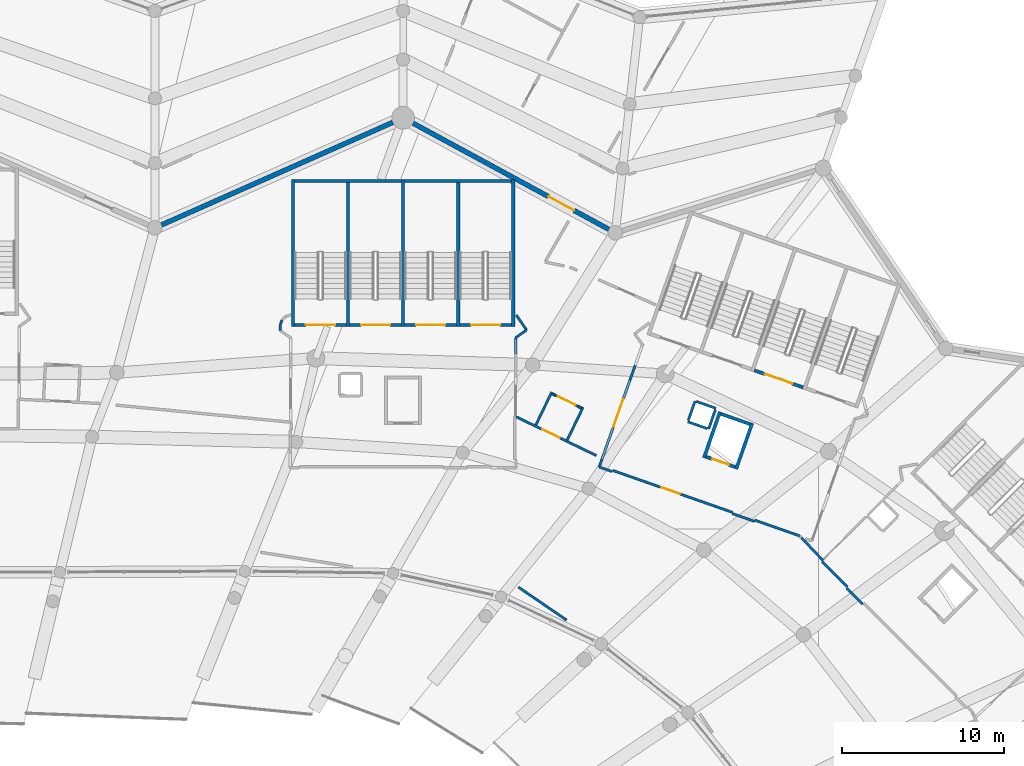
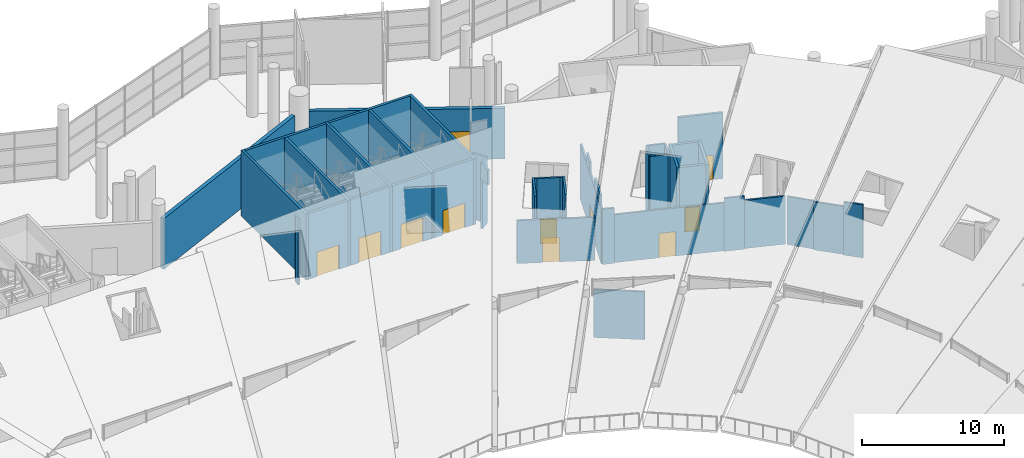
# One storey, part 175 of 249: 44 walls, 11 doors, 11 openings.
"""IFC4 building model written with IfcOpenShell, lengths in metres."""

from ifc_helpers import new_model, si_unit, direction, frame, frame_2d, origin, place, context, subcontext, project, spatial, rectangle, extrude, material, layer, layer_set, type_object, element, fill, save


model = new_model("IFC4")

# Units and contexts
model_context = context("Model", 3, precision=1e-05, world=origin(), true_north=direction((0.0, 1.0)))
body_context = subcontext(model_context, "Body", "Model", "MODEL_VIEW")
ifc_project = project(units=[si_unit("LENGTHUNIT", "METRE"), si_unit("AREAUNIT", "SQUARE_METRE"), si_unit("VOLUMEUNIT", "CUBIC_METRE"), si_unit("PLANEANGLEUNIT", "RADIAN"), si_unit("MASSUNIT", "GRAM", prefix="KILO")], contexts=[model_context])

# Site, building, storey
site_placement = place(None, origin())
site = spatial("IfcSite", under=ifc_project, at=site_placement, CompositionType="ELEMENT")
building_placement = place(site_placement, origin())
building = spatial("IfcBuilding", under=site, at=building_placement, Name="Meseta Stadium", CompositionType="ELEMENT")
storey_placement = place(building_placement, frame((0.0, 0.0, 12.0)))
storey = spatial("IfcBuildingStorey", under=building, at=storey_placement, Name="L02", CompositionType="ELEMENT", Elevation=12.0)

# Walls
ifc_material_1 = material(Name="Concrete C40/50", Category="concrete")
ifc_layer_1 = layer(ifc_material_1, 0.199951171875)
ifc_layer_set_1 = layer_set([ifc_layer_1], Name="Core divider wall 200")
wall_type_1 = type_object("IfcWallType", Name="Core divider wall 200", PredefinedType="SHEAR", material=ifc_layer_set_1)
for number, where, z_axis, x_axis, name in (
    (1, (41.7333984375, 101.60009765625, 0.0), (0.0, 0.0, 1.0), (0.0, -1.0, 0.0), "Core 09 L02 stair A divider wall"),
    (2, (34.933349609375, 101.60009765625, 0.0), (0.0, 0.0, 1.0), (0.0, -1.0, 0.0), "Core 09 L02 stair B divider wall"),
):
    element("IfcWall", number, at=place(storey_placement, frame(where, z_axis=z_axis, x_axis=x_axis)), inside=storey, type_object=wall_type_1, Name=name, PredefinedType="SHEAR", context=body_context, shape_type="SweptSolid", body=[
        extrude(rectangle(XDim=9.10009765625, YDim=0.199951171875, at=frame_2d((4.550048828125, 0.0))), origin(), (0.0, 0.0, 1.0), 5.64990234375),
    ])

# Wall, opening, door
ifc_material_2 = material(Name="Concrete C40/50", Category="concrete")
ifc_layer_2 = layer(ifc_material_2, 0.199951171875)
ifc_layer_set_2 = layer_set([ifc_layer_2], Name="Core shaft wall 200")
wall_type_2 = type_object("IfcWallType", Name="Core shaft wall 200", PredefinedType="SHEAR", material=ifc_layer_set_2)
wall_1_placement = place(storey_placement, frame((63.052490234375, 88.741943359375, 0.0), z_axis=(0.0, 0.0, 1.0), x_axis=(-0.943878576031, 0.330292648585, 0.0)))
wall_1 = element("IfcWall", 3, at=wall_1_placement, inside=storey, type_object=wall_type_2, Name="Core 08 L02 stair A2 inner end wall", PredefinedType="SHEAR", context=body_context, shape_type="SweptSolid", body=[
    extrude(rectangle(XDim=3.199951171875, YDim=0.199951171875, at=frame_2d((1.60009765625, 0.0))), origin(), (0.0, 0.0, 1.0), 5.64990234375),
])
opening_1_placement = place(wall_1_placement, frame((0.699951171875, 0.0, 0.0)))
opening_1 = element("IfcOpeningElement", 4, at=opening_1_placement, cuts=wall_1, Name="Opening D1170", PredefinedType="OPENING", context=body_context, shape_type="SweptSolid", body=[
    extrude(rectangle(XDim=1.800048828125, YDim=2.10009765625, at=frame_2d((0.89990234375, 1.050048828125))), frame((0.0, 0.10986328125, 0.0), z_axis=(0.0, -1.0, 0.0), x_axis=(1.0, 0.0, 0.0)), (0.0, 0.0, 1.0), 0.219970703125),
])
ifc_material_3 = material(Name="Steel", Category="steel")
door_type_1 = type_object("IfcDoorType", Name="Stair door 1800x2100", OperationType="DOUBLE_DOOR_SINGLE_SWING", PredefinedType="DOOR", material=ifc_material_3)
door_1_placement = place(opening_1_placement, origin())
door_1 = element("IfcDoor", 5, at=door_1_placement, inside=storey, type_object=door_type_1, Name="Stair A2 door 08 L02", OperationType="DOUBLE_DOOR_SINGLE_SWING", OverallHeight=2.10009765625, OverallWidth=1.800048828125, PredefinedType="DOOR", context=body_context, shape_type="SweptSolid", body=[
    extrude(rectangle(XDim=1.800048828125, YDim=2.10009765625, at=frame_2d((0.89990234375, 1.050048828125))), frame((0.0, 0.02490234375, 0.0), z_axis=(0.0, -1.0, 0.0), x_axis=(1.0, 0.0, 0.0)), (0.0, 0.0, 1.0), 0.050048828125),
])
fill(opening_1, door_1)

# Walls
for number, where, z_axis, x_axis, name in (
    (6, (59.896240234375, 86.53369140625, 0.0), (0.0, 0.0, 1.0), (-0.330328674497, -0.943865968666, 0.0), "Core 08 L02 lift shaft wall left"),
    (7, (57.9140625, 87.227294921875, 0.0), (0.0, 0.0, 1.0), (-0.330328674497, -0.943865968666, 0.0), "Core 08 L02 lift shaft wall right"),
):
    element("IfcWall", number, at=place(storey_placement, frame(where, z_axis=z_axis, x_axis=x_axis)), inside=storey, type_object=wall_type_2, Name=name, PredefinedType="SHEAR", context=body_context, shape_type="SweptSolid", body=[
        extrude(rectangle(XDim=3.0, YDim=0.199951171875, at=frame_2d((1.5, 0.0))), origin(), (0.0, 0.0, 1.0), 5.64990234375),
    ])
wall_2_placement = place(storey_placement, frame((59.768798828125, 86.472412109375, 0.0), z_axis=(0.0, 0.0, 1.0), x_axis=(-0.943862362559, 0.330338978239, 0.0)))
element("IfcWall", 8, at=wall_2_placement, inside=storey, type_object=wall_type_2, Name="Core 08 L02 lift shaft back wall", PredefinedType="SHEAR", context=body_context, shape_type="SweptSolid", body=[
    extrude(rectangle(XDim=1.900146484375, YDim=0.199951171875, at=frame_2d((0.9501953125, 0.0))), origin(), (0.0, 0.0, 1.0), 5.64990234375),
])

# Wall, opening, door
wall_3_placement = place(storey_placement, frame((58.843994140625, 83.82958984375, 0.0), z_axis=(0.0, 0.0, 1.0), x_axis=(-0.943902418729, 0.330224505327, 0.0)))
wall_3 = element("IfcWall", 9, at=wall_3_placement, inside=storey, type_object=wall_type_2, Name="Core 08 L02 lift shaft front wall", PredefinedType="SHEAR", context=body_context, shape_type="SweptSolid", body=[
    extrude(rectangle(XDim=1.900146484375, YDim=0.199951171875, at=frame_2d((0.9501953125, 0.0))), origin(), (0.0, 0.0, 1.0), 5.64990234375),
])
opening_2_placement = place(wall_3_placement, frame((0.39990234375, 0.0, 0.0)))
opening_2 = element("IfcOpeningElement", 10, at=opening_2_placement, cuts=wall_3, Name="Opening LD45", PredefinedType="OPENING", context=body_context, shape_type="SweptSolid", body=[
    extrude(rectangle(XDim=1.10009765625, YDim=2.10009765625, at=frame_2d((0.550048828125, 1.050048828125))), frame((0.0, 0.10986328125, 0.0), z_axis=(0.0, -1.0, 0.0), x_axis=(1.0, 0.0, 0.0)), (0.0, 0.0, 1.0), 0.219970703125),
])
ifc_material_4 = material(Name="Steel", Category="steel")
door_type_2 = type_object("IfcDoorType", Name="Lift landing door 1100x2100", OperationType="SLIDING_TO_LEFT", PredefinedType="DOOR", material=ifc_material_4)
door_2_placement = place(opening_2_placement, origin())
door_2 = element("IfcDoor", 11, at=door_2_placement, inside=storey, type_object=door_type_2, Name="Lift landing door LD45", OperationType="SLIDING_TO_LEFT", OverallHeight=2.10009765625, OverallWidth=1.10009765625, PredefinedType="DOOR", context=body_context, shape_type="SweptSolid", body=[
    extrude(rectangle(XDim=1.10009765625, YDim=2.10009765625, at=frame_2d((0.550048828125, 1.050048828125))), frame((0.0, 0.02490234375, 0.0), z_axis=(0.0, -1.0, 0.0), x_axis=(1.0, 0.0, 0.0)), (0.0, 0.0, 1.0), 0.050048828125),
])
fill(opening_2, door_2)

# Walls
for number, where, z_axis, x_axis, name in (
    (12, (45.13330078125, 101.60009765625, 0.0), (0.0, 0.0, 1.0), (0.0, -1.0, 0.0), "Core 09 L02 stair wall A-side"),
    (13, (38.333251953125, 101.60009765625, 0.0), (0.0, 0.0, 1.0), (0.0, -1.0, 0.0), "Core 09 L02 stair wall shared"),
    (14, (31.533203125, 101.60009765625, 0.0), (0.0, 0.0, 1.0), (0.0, -1.0, 0.0), "Core 09 L02 stair wall B-side"),
):
    element("IfcWall", number, at=place(storey_placement, frame(where, z_axis=z_axis, x_axis=x_axis)), inside=storey, type_object=wall_type_2, Name=name, PredefinedType="SHEAR", context=body_context, shape_type="SweptSolid", body=[
        extrude(rectangle(XDim=9.10009765625, YDim=0.199951171875, at=frame_2d((4.550048828125, 0.0))), origin(), (0.0, 0.0, 1.0), 5.64990234375),
    ])
wall_4_placement = place(storey_placement, frame((45.033203125, 101.5, 0.0), z_axis=(0.0, 0.0, 1.0), x_axis=(-1.0, 0.0, 0.0)))
element("IfcWall", 15, at=wall_4_placement, inside=storey, type_object=wall_type_2, Name="Core 09 L02 stair A outer end wall", PredefinedType="SHEAR", context=body_context, shape_type="SweptSolid", body=[
    extrude(rectangle(XDim=6.599853515625, YDim=0.199951171875, at=frame_2d((3.2998046875, 0.0))), origin(), (0.0, 0.0, 1.0), 5.64990234375),
])
wall_5_placement = place(storey_placement, frame((38.2333984375, 101.5, 0.0), z_axis=(0.0, 0.0, 1.0), x_axis=(-1.0, 0.0, 0.0)))
element("IfcWall", 16, at=wall_5_placement, inside=storey, type_object=wall_type_2, Name="Core 09 L02 stair B outer end wall", PredefinedType="SHEAR", context=body_context, shape_type="SweptSolid", body=[
    extrude(rectangle(XDim=6.60009765625, YDim=0.199951171875, at=frame_2d((3.300048828125, 0.0))), origin(), (0.0, 0.0, 1.0), 5.64990234375),
])

# Wall, opening, door
wall_6_placement = place(storey_placement, frame((45.033203125, 92.60009765625, 0.0), z_axis=(0.0, 0.0, 1.0), x_axis=(-1.0, 0.0, 0.0)))
wall_6 = element("IfcWall", 17, at=wall_6_placement, inside=storey, type_object=wall_type_2, Name="Core 09 L02 stair A1 inner end wall", PredefinedType="SHEAR", context=body_context, shape_type="SweptSolid", body=[
    extrude(rectangle(XDim=3.199951171875, YDim=0.199951171875, at=frame_2d((1.60009765625, 0.0))), origin(), (0.0, 0.0, 1.0), 5.64990234375),
])
opening_3_placement = place(wall_6_placement, frame((0.699951171875, 0.0, 0.0)))
opening_3 = element("IfcOpeningElement", 18, at=opening_3_placement, cuts=wall_6, Name="Opening D1148", PredefinedType="OPENING", context=body_context, shape_type="SweptSolid", body=[
    extrude(rectangle(XDim=1.800048828125, YDim=2.10009765625, at=frame_2d((0.89990234375, 1.050048828125))), frame((0.0, 0.10986328125, 0.0), z_axis=(0.0, -1.0, 0.0), x_axis=(1.0, 0.0, 0.0)), (0.0, 0.0, 1.0), 0.219970703125),
])
door_3_placement = place(opening_3_placement, origin())
door_3 = element("IfcDoor", 19, at=door_3_placement, inside=storey, type_object=door_type_1, Name="Stair A1 door 09 L02", OperationType="DOUBLE_DOOR_SINGLE_SWING", OverallHeight=2.10009765625, OverallWidth=1.800048828125, PredefinedType="DOOR", context=body_context, shape_type="SweptSolid", body=[
    extrude(rectangle(XDim=1.800048828125, YDim=2.10009765625, at=frame_2d((0.89990234375, 1.050048828125))), frame((0.0, 0.02490234375, 0.0), z_axis=(0.0, -1.0, 0.0), x_axis=(1.0, 0.0, 0.0)), (0.0, 0.0, 1.0), 0.050048828125),
])
fill(opening_3, door_3)

wall_7_placement = place(storey_placement, frame((41.63330078125, 92.60009765625, 0.0), z_axis=(0.0, 0.0, 1.0), x_axis=(-1.0, 0.0, 0.0)))
wall_7 = element("IfcWall", 20, at=wall_7_placement, inside=storey, type_object=wall_type_2, Name="Core 09 L02 stair A2 inner end wall", PredefinedType="SHEAR", context=body_context, shape_type="SweptSolid", body=[
    extrude(rectangle(XDim=3.199951171875, YDim=0.199951171875, at=frame_2d((1.60009765625, 0.0))), origin(), (0.0, 0.0, 1.0), 5.64990234375),
])
opening_4_placement = place(wall_7_placement, frame((0.699951171875, 0.0, 0.0)))
opening_4 = element("IfcOpeningElement", 21, at=opening_4_placement, cuts=wall_7, Name="Opening D1145", PredefinedType="OPENING", context=body_context, shape_type="SweptSolid", body=[
    extrude(rectangle(XDim=1.800048828125, YDim=2.10009765625, at=frame_2d((0.89990234375, 1.050048828125))), frame((0.0, 0.10986328125, 0.0), z_axis=(0.0, -1.0, 0.0), x_axis=(1.0, 0.0, 0.0)), (0.0, 0.0, 1.0), 0.219970703125),
])
door_4_placement = place(opening_4_placement, origin())
door_4 = element("IfcDoor", 22, at=door_4_placement, inside=storey, type_object=door_type_1, Name="Stair A2 door 09 L02", OperationType="DOUBLE_DOOR_SINGLE_SWING", OverallHeight=2.10009765625, OverallWidth=1.800048828125, PredefinedType="DOOR", context=body_context, shape_type="SweptSolid", body=[
    extrude(rectangle(XDim=1.800048828125, YDim=2.10009765625, at=frame_2d((0.89990234375, 1.050048828125))), frame((0.0, 0.02490234375, 0.0), z_axis=(0.0, -1.0, 0.0), x_axis=(1.0, 0.0, 0.0)), (0.0, 0.0, 1.0), 0.050048828125),
])
fill(opening_4, door_4)

wall_8_placement = place(storey_placement, frame((38.2333984375, 92.60009765625, 0.0), z_axis=(0.0, 0.0, 1.0), x_axis=(-1.0, 0.0, 0.0)))
wall_8 = element("IfcWall", 23, at=wall_8_placement, inside=storey, type_object=wall_type_2, Name="Core 09 L02 stair B1 inner end wall", PredefinedType="SHEAR", context=body_context, shape_type="SweptSolid", body=[
    extrude(rectangle(XDim=3.2001953125, YDim=0.199951171875, at=frame_2d((1.60009765625, 0.0))), origin(), (0.0, 0.0, 1.0), 5.64990234375),
])
opening_5_placement = place(wall_8_placement, frame((0.699951171875, 0.0, 0.0)))
opening_5 = element("IfcOpeningElement", 24, at=opening_5_placement, cuts=wall_8, Name="Opening D1142", PredefinedType="OPENING", context=body_context, shape_type="SweptSolid", body=[
    extrude(rectangle(XDim=1.800048828125, YDim=2.10009765625, at=frame_2d((0.89990234375, 1.050048828125))), frame((0.0, 0.10986328125, 0.0), z_axis=(0.0, -1.0, 0.0), x_axis=(1.0, 0.0, 0.0)), (0.0, 0.0, 1.0), 0.219970703125),
])
door_5_placement = place(opening_5_placement, origin())
door_5 = element("IfcDoor", 25, at=door_5_placement, inside=storey, type_object=door_type_1, Name="Stair B1 door 09 L02", OperationType="DOUBLE_DOOR_SINGLE_SWING", OverallHeight=2.10009765625, OverallWidth=1.800048828125, PredefinedType="DOOR", context=body_context, shape_type="SweptSolid", body=[
    extrude(rectangle(XDim=1.800048828125, YDim=2.10009765625, at=frame_2d((0.89990234375, 1.050048828125))), frame((0.0, 0.02490234375, 0.0), z_axis=(0.0, -1.0, 0.0), x_axis=(1.0, 0.0, 0.0)), (0.0, 0.0, 1.0), 0.050048828125),
])
fill(opening_5, door_5)

wall_9_placement = place(storey_placement, frame((34.833251953125, 92.60009765625, 0.0), z_axis=(0.0, 0.0, 1.0), x_axis=(-1.0, 0.0, 0.0)))
wall_9 = element("IfcWall", 26, at=wall_9_placement, inside=storey, type_object=wall_type_2, Name="Core 09 L02 stair B2 inner end wall", PredefinedType="SHEAR", context=body_context, shape_type="SweptSolid", body=[
    extrude(rectangle(XDim=3.199951171875, YDim=0.199951171875, at=frame_2d((1.60009765625, 0.0))), origin(), (0.0, 0.0, 1.0), 5.64990234375),
])
opening_6_placement = place(wall_9_placement, frame((0.699951171875, 0.0, 0.0)))
opening_6 = element("IfcOpeningElement", 27, at=opening_6_placement, cuts=wall_9, Name="Opening D1139", PredefinedType="OPENING", context=body_context, shape_type="SweptSolid", body=[
    extrude(rectangle(XDim=1.800048828125, YDim=2.10009765625, at=frame_2d((0.89990234375, 1.050048828125))), frame((0.0, 0.10986328125, 0.0), z_axis=(0.0, -1.0, 0.0), x_axis=(1.0, 0.0, 0.0)), (0.0, 0.0, 1.0), 0.219970703125),
])
door_6_placement = place(opening_6_placement, origin())
door_6 = element("IfcDoor", 28, at=door_6_placement, inside=storey, type_object=door_type_1, Name="Stair B2 door 09 L02", OperationType="DOUBLE_DOOR_SINGLE_SWING", OverallHeight=2.10009765625, OverallWidth=1.800048828125, PredefinedType="DOOR", context=body_context, shape_type="SweptSolid", body=[
    extrude(rectangle(XDim=1.800048828125, YDim=2.10009765625, at=frame_2d((0.89990234375, 1.050048828125))), frame((0.0, 0.02490234375, 0.0), z_axis=(0.0, -1.0, 0.0), x_axis=(1.0, 0.0, 0.0)), (0.0, 0.0, 1.0), 0.050048828125),
])
fill(opening_6, door_6)

# Wall
ifc_material_5 = material(Name="Masonry blockwork", Category="masonry")
ifc_layer_3 = layer(ifc_material_5, 0.14990234375)
ifc_layer_set_3 = layer_set([ifc_layer_3], Name="Partition 150")
wall_type_3 = type_object("IfcWallType", Name="Partition 150", PredefinedType="PARTITIONING", material=ifc_layer_set_3)
wall_10_placement = place(storey_placement, frame((48.431884765625, 74.37158203125, 0.0), z_axis=(0.0, 0.0, 1.0), x_axis=(-0.825645692155, 0.56418896748, 0.0)))
element("IfcWall", 29, at=wall_10_placement, inside=storey, type_object=wall_type_3, Name="Partition L02 L02-cell06-0-0", PredefinedType="PARTITIONING", context=body_context, shape_type="SweptSolid", body=[
    extrude(rectangle(XDim=3.608154296875, YDim=0.14990234375, at=frame_2d((1.80419921875, 0.0))), origin(), (0.0, 0.0, 1.0), 4.118408203125),
])

# Wall, opening, door
wall_11_placement = place(storey_placement, frame((51.2841796875, 83.614501953125, 0.0), z_axis=(0.0, 0.0, 1.0), x_axis=(0.943878277554, -0.330293501543, 0.0)))
wall_11 = element("IfcWall", 30, at=wall_11_placement, inside=storey, type_object=wall_type_3, Name="Partition L02 L02-cell06-0-0", PredefinedType="PARTITIONING", context=body_context, shape_type="SweptSolid", body=[
    extrude(rectangle(XDim=7.8330078125, YDim=0.14990234375, at=frame_2d((3.91650390625, 0.0))), origin(), (0.0, 0.0, 1.0), 4.118408203125),
])
opening_7_placement = place(wall_11_placement, frame((3.199951171875, 0.0, 0.0)))
opening_7 = element("IfcOpeningElement", 31, at=opening_7_placement, cuts=wall_11, Name="Opening D1163", PredefinedType="OPENING", context=body_context, shape_type="SweptSolid", body=[
    extrude(rectangle(XDim=1.199951171875, YDim=2.10009765625, at=frame_2d((0.60009765625, 1.050048828125))), frame((0.0, 0.0849609375, 0.0), z_axis=(0.0, -1.0, 0.0), x_axis=(1.0, 0.0, 0.0)), (0.0, 0.0, 1.0), 0.169921875),
])
ifc_material_6 = material(Name="Steel", Category="steel")
door_type_3 = type_object("IfcDoorType", Name="Fire door 1200x2100 EI2 60", OperationType="NOTDEFINED", PredefinedType="DOOR", material=ifc_material_6)
door_7_placement = place(opening_7_placement, origin())
door_7 = element("IfcDoor", 32, at=door_7_placement, inside=storey, type_object=door_type_3, Name="Room door L02 L02-cell06-0-0", OperationType="SINGLE_SWING_LEFT", OverallHeight=2.10009765625, OverallWidth=1.199951171875, PredefinedType="DOOR", context=body_context, shape_type="SweptSolid", body=[
    extrude(rectangle(XDim=1.199951171875, YDim=2.10009765625, at=frame_2d((0.60009765625, 1.050048828125))), frame((0.0, 0.02490234375, 0.0), z_axis=(0.0, -1.0, 0.0), x_axis=(1.0, 0.0, 0.0)), (0.0, 0.0, 1.0), 0.050048828125),
])
fill(opening_7, door_7)

# Walls
wall_12_placement = place(storey_placement, frame((60.06396484375, 80.542236328125, 0.0), z_axis=(0.0, 0.0, 1.0), x_axis=(0.943873905003, -0.330305996696, 0.0)))
element("IfcWall", 33, at=wall_12_placement, inside=storey, type_object=wall_type_3, Name="Partition L02 L02-cell06-0-0", PredefinedType="PARTITIONING", context=body_context, shape_type="SweptSolid", body=[
    extrude(rectangle(XDim=2.937255859375, YDim=0.14990234375, at=frame_2d((1.46875, 0.0))), origin(), (0.0, 0.0, 1.0), 4.118408203125),
])
wall_13_placement = place(storey_placement, frame((62.948486328125, 79.453369140625, 0.0), z_axis=(0.0, 0.0, 1.0), x_axis=(0.686461196607, -0.727166435937, 0.0)))
element("IfcWall", 34, at=wall_13_placement, inside=storey, type_object=wall_type_3, Name="Partition L02 L02-cell06-0-0", PredefinedType="PARTITIONING", context=body_context, shape_type="SweptSolid", body=[
    extrude(rectangle(XDim=1.943359375, YDim=0.14990234375, at=frame_2d((0.9716796875, 0.0))), origin(), (0.0, 0.0, 1.0), 4.118408203125),
])
wall_14_placement = place(storey_placement, frame((64.215576171875, 77.973388671875, 0.0), z_axis=(0.0, 0.0, 1.0), x_axis=(0.707161957089, -0.707051600978, 0.0)))
element("IfcWall", 35, at=wall_14_placement, inside=storey, type_object=wall_type_3, Name="Partition L02 L02-cell06-0-0", PredefinedType="PARTITIONING", context=body_context, shape_type="SweptSolid", body=[
    extrude(rectangle(XDim=2.21240234375, YDim=0.14990234375, at=frame_2d((1.106201171875, 0.0))), origin(), (0.0, 0.0, 1.0), 4.118408203125),
])

# Wall, opening, door
wall_15_placement = place(storey_placement, frame((45.308349609375, 86.931396484375, 0.0), z_axis=(0.0, 0.0, 1.0), x_axis=(0.90052298219, -0.434808415911, 0.0)))
wall_15 = element("IfcWall", 36, at=wall_15_placement, inside=storey, type_object=wall_type_3, Name="Partition L02 L02-cell07-0-0", PredefinedType="PARTITIONING", context=body_context, shape_type="SweptSolid", body=[
    extrude(rectangle(XDim=5.521728515625, YDim=0.14990234375, at=frame_2d((2.7607421875, 0.0))), origin(), (0.0, 0.0, 1.0), 3.696533203125),
])
opening_8_placement = place(wall_15_placement, frame((1.800048828125, 0.0, 0.0)))
opening_8 = element("IfcOpeningElement", 37, at=opening_8_placement, cuts=wall_15, Name="Opening D1153", PredefinedType="OPENING", context=body_context, shape_type="SweptSolid", body=[
    extrude(rectangle(XDim=1.199951171875, YDim=2.10009765625, at=frame_2d((0.60009765625, 1.050048828125))), frame((0.0, 0.0849609375, 0.0), z_axis=(0.0, -1.0, 0.0), x_axis=(1.0, 0.0, 0.0)), (0.0, 0.0, 1.0), 0.169921875),
])
door_8_placement = place(opening_8_placement, origin())
door_8 = element("IfcDoor", 38, at=door_8_placement, inside=storey, type_object=door_type_3, Name="Room door L02 L02-cell07-0-0", OperationType="SINGLE_SWING_LEFT", OverallHeight=2.10009765625, OverallWidth=1.199951171875, PredefinedType="DOOR", context=body_context, shape_type="SweptSolid", body=[
    extrude(rectangle(XDim=1.199951171875, YDim=2.10009765625, at=frame_2d((0.60009765625, 1.050048828125))), frame((0.0, 0.02490234375, 0.0), z_axis=(0.0, -1.0, 0.0), x_axis=(1.0, 0.0, 0.0)), (0.0, 0.0, 1.0), 0.050048828125),
])
fill(opening_8, door_8)

# Walls
wall_16_placement = place(storey_placement, frame((65.73388671875, 76.34912109375, 0.0), z_axis=(0.0, 0.0, 1.0), x_axis=(0.707106781187, -0.707106781187, 0.0)))
element("IfcWall", 39, at=wall_16_placement, inside=storey, type_object=wall_type_3, Name="Stair vestibule wall L02 core 07", PredefinedType="PARTITIONING", context=body_context, shape_type="SweptSolid", body=[
    extrude(rectangle(XDim=1.392578125, YDim=0.14990234375, at=frame_2d((0.6962890625, 0.0))), origin(), (0.0, 0.0, 1.0), 4.550048828125),
])
for number, where, z_axis, x_axis, name in (
    (40, (57.6484375, 87.45263671875, 0.0), (0.0, 0.0, 1.0), (-0.943867312246, 0.330324835387, 0.0), "Pressurisation shaft wall L02 core 08"),
    (41, (56.374267578125, 87.898681640625, 0.0), (0.0, 0.0, 1.0), (-0.330324835387, -0.943867312246, 0.0), "Pressurisation shaft wall L02 core 08"),
    (42, (55.928466796875, 86.62451171875, 0.0), (0.0, 0.0, 1.0), (0.943867312246, -0.330324835387, 0.0), "Pressurisation shaft wall L02 core 08"),
):
    element("IfcWall", number, at=place(storey_placement, frame(where, z_axis=z_axis, x_axis=x_axis)), inside=storey, type_object=wall_type_3, Name=name, PredefinedType="PARTITIONING", context=body_context, shape_type="SweptSolid", body=[
        extrude(rectangle(XDim=1.27490234375, YDim=0.14990234375, at=frame_2d((0.637451171875, 0.0))), origin(), (0.0, 0.0, 1.0), 5.64990234375),
    ])
wall_17_placement = place(storey_placement, frame((57.20263671875, 86.178466796875, 0.0), z_axis=(0.0, 0.0, 1.0), x_axis=(0.330265141396, 0.943888201207, 0.0)))
element("IfcWall", 43, at=wall_17_placement, inside=storey, type_object=wall_type_3, Name="Pressurisation shaft wall L02 core 08", PredefinedType="PARTITIONING", context=body_context, shape_type="SweptSolid", body=[
    extrude(rectangle(XDim=1.275146484375, YDim=0.14990234375, at=frame_2d((0.6376953125, 0.0))), origin(), (0.0, 0.0, 1.0), 5.64990234375),
])

# Wall, opening, door
wall_18_placement = place(storey_placement, frame((53.147705078125, 91.4541015625, 0.0), z_axis=(0.0, 0.0, 1.0), x_axis=(-0.333817535375, -0.942637710404, 0.0)))
wall_18 = element("IfcWall", 44, at=wall_18_placement, inside=storey, type_object=wall_type_3, Name="Stair vestibule wall L02 core 08", PredefinedType="PARTITIONING", context=body_context, shape_type="SweptSolid", body=[
    extrude(rectangle(XDim=8.09033203125, YDim=0.14990234375, at=frame_2d((4.045166015625, 0.0))), origin(), (0.0, 0.0, 1.0), 4.75),
])
opening_9_placement = place(wall_18_placement, frame((3.64990234375, 0.0, 0.0)))
opening_9 = element("IfcOpeningElement", 45, at=opening_9_placement, cuts=wall_18, Name="Opening D1157", PredefinedType="OPENING", context=body_context, shape_type="SweptSolid", body=[
    extrude(rectangle(XDim=1.800048828125, YDim=2.10009765625, at=frame_2d((0.89990234375, 1.050048828125))), frame((0.0, 0.0849609375, 0.0), z_axis=(0.0, -1.0, 0.0), x_axis=(1.0, 0.0, 0.0)), (0.0, 0.0, 1.0), 0.169921875),
])
ifc_material_7 = material(Name="Steel", Category="steel")
door_type_4 = type_object("IfcDoorType", Name="Fire double door 1800x2100 EI2 60", OperationType="DOUBLE_DOOR_SINGLE_SWING", PredefinedType="DOOR", material=ifc_material_7)
door_9_placement = place(opening_9_placement, origin())
door_9 = element("IfcDoor", 46, at=door_9_placement, inside=storey, type_object=door_type_4, Name="Stair vestibule door L02 core 08", OperationType="DOUBLE_DOOR_SINGLE_SWING", OverallHeight=2.10009765625, OverallWidth=1.800048828125, PredefinedType="DOOR", context=body_context, shape_type="SweptSolid", body=[
    extrude(rectangle(XDim=1.800048828125, YDim=2.10009765625, at=frame_2d((0.89990234375, 1.050048828125))), frame((0.0, 0.02490234375, 0.0), z_axis=(0.0, -1.0, 0.0), x_axis=(1.0, 0.0, 0.0)), (0.0, 0.0, 1.0), 0.050048828125),
])
fill(opening_9, door_9)

# Walls
wall_19_placement = place(storey_placement, frame((51.3115234375, 86.26953125, 4.75), z_axis=(0.0, 0.0, 1.0), x_axis=(-0.333840729385, -0.942629496358, 0.0)))
element("IfcWall", 47, at=wall_19_placement, inside=storey, type_object=wall_type_3, Name="Stair vestibule wall L02 core 08", PredefinedType="PARTITIONING", context=body_context, shape_type="SweptSolid", body=[
    extrude(rectangle(XDim=2.1142578125, YDim=0.14990234375, at=frame_2d((1.05712890625, 0.0))), origin(), (0.0, 0.0, 1.0), 0.89990234375),
])
wall_20_placement = place(storey_placement, frame((50.447021484375, 83.827880859375, 0.0), z_axis=(0.0, 0.0, 1.0), x_axis=(0.943871777737, -0.330312075456, 0.0)))
element("IfcWall", 48, at=wall_20_placement, inside=storey, type_object=wall_type_3, Name="Stair vestibule wall L02 core 08", PredefinedType="PARTITIONING", context=body_context, shape_type="SweptSolid", body=[
    extrude(rectangle(XDim=0.850830078125, YDim=0.14990234375, at=frame_2d((0.42529296875, 0.0))), origin(), (0.0, 0.0, 1.0), 4.75),
])
wall_21_placement = place(storey_placement, frame((58.662353515625, 80.953125, 0.0), z_axis=(0.0, 0.0, 1.0), x_axis=(0.943876745654, -0.330297879215, 0.0)))
element("IfcWall", 49, at=wall_21_placement, inside=storey, type_object=wall_type_3, Name="Stair vestibule wall L02 core 08", PredefinedType="PARTITIONING", context=body_context, shape_type="SweptSolid", body=[
    extrude(rectangle(XDim=1.44873046875, YDim=0.14990234375, at=frame_2d((0.724365234375, 0.0))), origin(), (0.0, 0.0, 1.0), 4.550048828125),
])
wall_22_placement = place(storey_placement, frame((30.859130859375, 92.903564453125, 0.0), z_axis=(0.0, 0.0, 1.0), x_axis=(-0.382275228123, -0.924048510611, 0.0)))
element("IfcWall", 50, at=wall_22_placement, inside=storey, type_object=wall_type_3, Name="Stair vestibule wall L02 core 09", PredefinedType="PARTITIONING", context=body_context, shape_type="SweptSolid", body=[
    extrude(rectangle(XDim=0.28173828125, YDim=0.14990234375, at=frame_2d((0.140869140625, 0.0))), origin(), (0.0, 0.0, 1.0), 5.64990234375),
])
wall_23_placement = place(storey_placement, frame((30.75146484375, 92.643310546875, 0.0), z_axis=(0.0, 0.0, 1.0), x_axis=(-0.038982051143, -0.999239910977, 0.0)))
element("IfcWall", 51, at=wall_23_placement, inside=storey, type_object=wall_type_3, Name="Stair vestibule wall L02 core 09", PredefinedType="PARTITIONING", context=body_context, shape_type="SweptSolid", body=[
    extrude(rectangle(XDim=0.375732421875, YDim=0.14990234375, at=frame_2d((0.18798828125, 0.0))), origin(), (0.0, 0.0, 1.0), 5.64990234375),
])
wall_24_placement = place(storey_placement, frame((45.2841796875, 90.84326171875, 4.35009765625), z_axis=(0.0, 0.0, 1.0), x_axis=(-0.003284469399, 0.999994606116, 0.0)))
element("IfcWall", 52, at=wall_24_placement, inside=storey, type_object=wall_type_3, Name="Stair vestibule wall L02 core 09", PredefinedType="PARTITIONING", context=body_context, shape_type="SweptSolid", body=[
    extrude(rectangle(XDim=0.96630859375, YDim=0.14990234375, at=frame_2d((0.483154296875, 0.0))), origin(), (0.0, 0.0, 1.0), 1.2998046875),
])
wall_25_placement = place(storey_placement, frame((45.281005859375, 91.8095703125, 0.0), z_axis=(0.0, 0.0, 1.0), x_axis=(0.815538498344, 0.57870282332, 0.0)))
element("IfcWall", 53, at=wall_25_placement, inside=storey, type_object=wall_type_3, Name="Stair vestibule wall L02 core 09", PredefinedType="PARTITIONING", context=body_context, shape_type="SweptSolid", body=[
    extrude(rectangle(XDim=0.829833984375, YDim=0.14990234375, at=frame_2d((0.4150390625, 0.0))), origin(), (0.0, 0.0, 1.0), 5.64990234375),
])
wall_26_placement = place(storey_placement, frame((45.957763671875, 92.289794921875, 0.0), z_axis=(0.0, 0.0, 1.0), x_axis=(-0.563921977691, 0.825828071136, 0.0)))
element("IfcWall", 54, at=wall_26_placement, inside=storey, type_object=wall_type_3, Name="Stair vestibule wall L02 core 09", PredefinedType="PARTITIONING", context=body_context, shape_type="SweptSolid", body=[
    extrude(rectangle(XDim=1.1259765625, YDim=0.14990234375, at=frame_2d((0.56298828125, 0.0))), origin(), (0.0, 0.0, 1.0), 5.64990234375),
])
for number, where, z_axis, x_axis, name in (
    (55, (46.5341796875, 86.422607421875, 0.0), (0.0, 0.0, 1.0), (0.434758168481, 0.900547241925, 0.0), "Partition L02 L02-cell07-0-0 vestibule"),
    (56, (48.47021484375, 85.48779296875, 0.0), (0.0, 0.0, 1.0), (0.434758168481, 0.900547241925, 0.0), "Partition L02 L02-cell07-0-0 vestibule"),
):
    element("IfcWall", number, at=place(storey_placement, frame(where, z_axis=z_axis, x_axis=x_axis)), inside=storey, type_object=wall_type_3, Name=name, PredefinedType="PARTITIONING", context=body_context, shape_type="SweptSolid", body=[
        extrude(rectangle(XDim=2.250244140625, YDim=0.14990234375, at=frame_2d((1.125, 0.0))), origin(), (0.0, 0.0, 1.0), 5.64990234375),
    ])
wall_27_placement = place(storey_placement, frame((47.54736328125, 88.348876953125, 0.0), z_axis=(0.0, 0.0, 1.0), x_axis=(0.900205528442, -0.435465275954, 0.0)))
element("IfcWall", 57, at=wall_27_placement, inside=storey, type_object=wall_type_3, Name="Partition L02 L02-cell07-0-0 vestibule", PredefinedType="PARTITIONING", context=body_context, shape_type="SweptSolid", body=[
    extrude(rectangle(XDim=0.2001953125, YDim=0.14990234375, at=frame_2d((0.10009765625, 0.0))), origin(), (0.0, 0.0, 1.0), 5.64990234375),
])

# Wall, opening, door
wall_28_placement = place(storey_placement, frame((47.7275390625, 88.26171875, 0.0), z_axis=(0.0, 0.0, 1.0), x_axis=(0.90053721394, -0.434778939589, 0.0)))
wall_28 = element("IfcWall", 58, at=wall_28_placement, inside=storey, type_object=wall_type_3, Name="Partition L02 L02-cell07-0-0 vestibule", PredefinedType="PARTITIONING", context=body_context, shape_type="SweptSolid", body=[
    extrude(rectangle(XDim=1.599853515625, YDim=0.14990234375, at=frame_2d((0.7998046875, 0.0))), origin(), (0.0, 0.0, 1.0), 5.64990234375),
])
opening_10_placement = place(wall_28_placement, frame((0.199951171875, 0.0, 0.0)))
opening_10 = element("IfcOpeningElement", 59, at=opening_10_placement, cuts=wall_28, Name="Opening D1155", PredefinedType="OPENING", context=body_context, shape_type="SweptSolid", body=[
    extrude(rectangle(XDim=1.199951171875, YDim=2.10009765625, at=frame_2d((0.60009765625, 1.050048828125))), frame((0.0, 0.0849609375, 0.0), z_axis=(0.0, -1.0, 0.0), x_axis=(1.0, 0.0, 0.0)), (0.0, 0.0, 1.0), 0.169921875),
])
door_10_placement = place(opening_10_placement, origin())
door_10 = element("IfcDoor", 60, at=door_10_placement, inside=storey, type_object=door_type_3, Name="Vestibule door L02 L02-cell07-0-0", OperationType="SINGLE_SWING_LEFT", OverallHeight=2.10009765625, OverallWidth=1.199951171875, PredefinedType="DOOR", context=body_context, shape_type="SweptSolid", body=[
    extrude(rectangle(XDim=1.199951171875, YDim=2.10009765625, at=frame_2d((0.60009765625, 1.050048828125))), frame((0.0, 0.02490234375, 0.0), z_axis=(0.0, -1.0, 0.0), x_axis=(1.0, 0.0, 0.0)), (0.0, 0.0, 1.0), 0.050048828125),
])
fill(opening_10, door_10)

# Walls
wall_29_placement = place(storey_placement, frame((49.168212890625, 87.566162109375, 0.0), z_axis=(0.0, 0.0, 1.0), x_axis=(0.900205528442, -0.435465275954, 0.0)))
element("IfcWall", 61, at=wall_29_placement, inside=storey, type_object=wall_type_3, Name="Partition L02 L02-cell07-0-0 vestibule", PredefinedType="PARTITIONING", context=body_context, shape_type="SweptSolid", body=[
    extrude(rectangle(XDim=0.2001953125, YDim=0.14990234375, at=frame_2d((0.10009765625, 0.0))), origin(), (0.0, 0.0, 1.0), 5.64990234375),
])
wall_30_placement = place(storey_placement, frame((52.353271484375, 89.211181640625, 4.75), z_axis=(0.0, 0.0, 1.0), x_axis=(-0.333813820178, -0.942639026064, 0.0)))
element("IfcWall", 62, at=wall_30_placement, inside=storey, type_object=wall_type_3, Name="Stair vestibule wall L02 core 08", PredefinedType="PARTITIONING", context=body_context, shape_type="SweptSolid", body=[
    extrude(rectangle(XDim=1.220703125, YDim=0.14990234375, at=frame_2d((0.6103515625, 0.0))), origin(), (0.0, 0.0, 1.0), 0.89990234375),
])

# Wall, opening, door
ifc_material_8 = material(Name="White precast concrete C40/50", Category="concrete")
ifc_layer_4 = layer(ifc_material_8, 0.300048828125)
ifc_layer_set_4 = layer_set([ifc_layer_4], Name="Pleated panel wall 300 concourse")
wall_type_4 = type_object("IfcWallType", Name="Pleated panel wall 300 concourse", PredefinedType="SOLIDWALL", material=ifc_layer_set_4)
wall_31_placement = place(storey_placement, frame((38.948486328125, 105.06640625, 0.0), z_axis=(0.0, 0.0, 1.0), x_axis=(0.879144247164, -0.476555760304, 0.0)))
wall_31 = element("IfcWall", 63, at=wall_31_placement, inside=storey, type_object=wall_type_4, Name="Pleated facade panel L02 F15", PredefinedType="SOLIDWALL", context=body_context, shape_type="SweptSolid", body=[
    extrude(rectangle(XDim=13.760498046875, YDim=0.300048828125, at=frame_2d((6.88037109375, 0.0))), origin(), (0.0, 0.0, 1.0), 4.35009765625),
])
opening_11_placement = place(wall_31_placement, frame((9.51025390625, 0.0, 0.0)))
opening_11 = element("IfcOpeningElement", 64, at=opening_11_placement, cuts=wall_31, Name="Opening D1154", PredefinedType="OPENING", context=body_context, shape_type="SweptSolid", body=[
    extrude(rectangle(XDim=1.800048828125, YDim=2.39990234375, at=frame_2d((0.89990234375, 1.199951171875))), frame((0.0, 0.159912109375, 0.0), z_axis=(0.0, -1.0, 0.0), x_axis=(1.0, 0.0, 0.0)), (0.0, 0.0, 1.0), 0.320068359375),
])
ifc_material_9 = material(Name="Steel", Category="steel")
door_type_5 = type_object("IfcDoorType", Name="Concourse double door 1800x2400", OperationType="DOUBLE_DOOR_SINGLE_SWING", PredefinedType="DOOR", material=ifc_material_9)
door_11_placement = place(opening_11_placement, origin())
door_11 = element("IfcDoor", 65, at=door_11_placement, inside=storey, type_object=door_type_5, Name="Concourse door", OperationType="DOUBLE_DOOR_SINGLE_SWING", OverallHeight=2.39990234375, OverallWidth=1.800048828125, PredefinedType="DOOR", context=body_context, shape_type="SweptSolid", body=[
    extrude(rectangle(XDim=1.800048828125, YDim=2.39990234375, at=frame_2d((0.89990234375, 1.199951171875))), frame((0.0, 0.02490234375, 0.0), z_axis=(0.0, -1.0, 0.0), x_axis=(1.0, 0.0, 0.0)), (0.0, 0.0, 1.0), 0.050048828125),
])
fill(opening_11, door_11)

# Wall
wall_32_placement = place(storey_placement, frame((23.410888671875, 98.7822265625, 0.0), z_axis=(0.0, 0.0, 1.0), x_axis=(0.914140506485, 0.405397501722, 0.0)))
element("IfcWall", 66, at=wall_32_placement, inside=storey, type_object=wall_type_4, Name="Pleated facade panel L02 F16", PredefinedType="SOLIDWALL", context=body_context, shape_type="SweptSolid", body=[
    extrude(rectangle(XDim=15.624755859375, YDim=0.300048828125, at=frame_2d((7.8125, 0.0))), origin(), (0.0, 0.0, 1.0), 4.35009765625),
])

save(model, "model.ifc")
